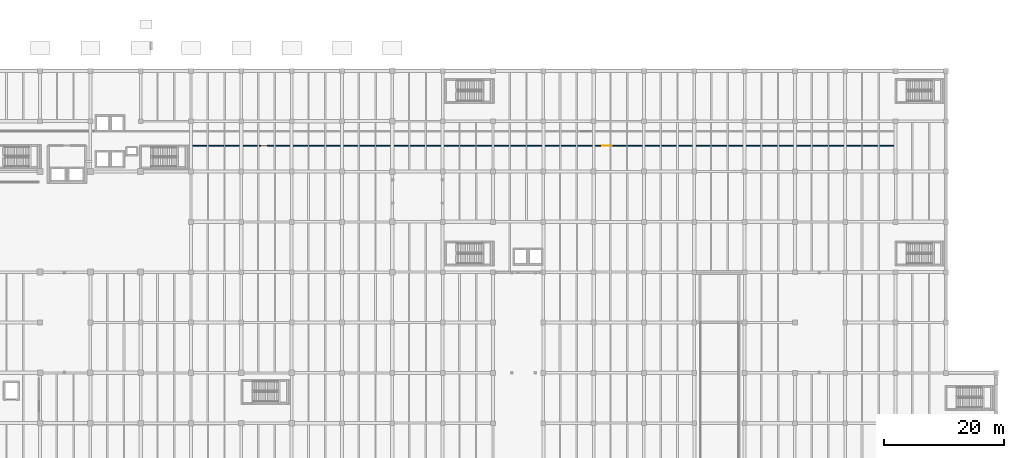
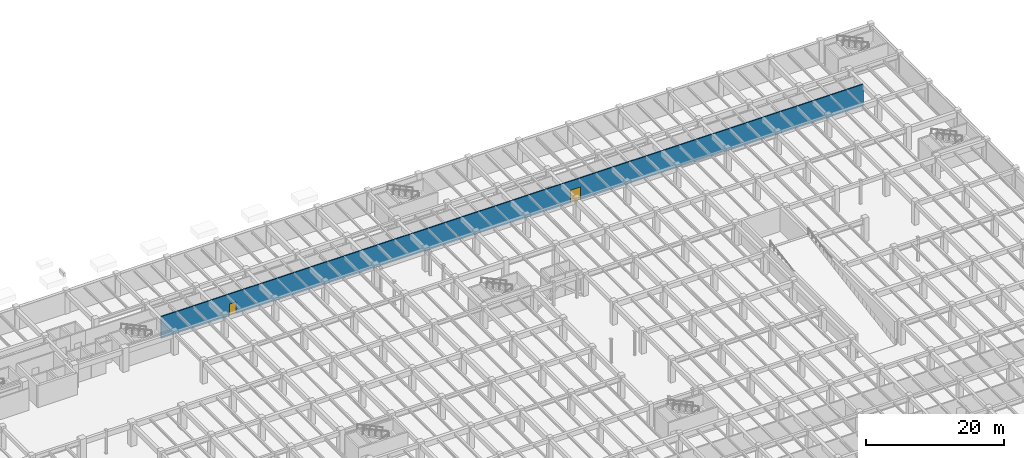
# One storey, part 43 of 63: 2 doors, 1 wall, 2 openings.
"""IFC4 building model written with IfcOpenShell, lengths in metres."""

from ifc_helpers import new_model, si_unit, direction, frame, frame_2d, origin, place, context, subcontext, project, spatial, rectangle, extrude, material, layer, layer_set, type_object, element, fill, save


model = new_model("IFC4")

# Units and contexts
model_context = context("Model", 3, precision=1e-05, world=origin(), true_north=direction((0.0, 1.0)))
body_context = subcontext(model_context, "Body", "Model", "MODEL_VIEW")
ifc_project = project(units=[si_unit("LENGTHUNIT", "METRE"), si_unit("AREAUNIT", "SQUARE_METRE"), si_unit("VOLUMEUNIT", "CUBIC_METRE"), si_unit("PLANEANGLEUNIT", "RADIAN"), si_unit("MASSUNIT", "GRAM", prefix="KILO")], contexts=[model_context])

# Site, building, storey
site_placement = place(None, origin())
site = spatial("IfcSite", under=ifc_project, at=site_placement, CompositionType="ELEMENT")
building_placement = place(site_placement, origin())
building = spatial("IfcBuilding", under=site, at=building_placement, Name="Cumbredor Promenade Congress Hotel", CompositionType="ELEMENT")
storey_placement = place(building_placement, frame((0.0, 0.0, -4.199951171875)))
storey = spatial("IfcBuildingStorey", under=building, at=storey_placement, Name="B01", CompositionType="ELEMENT", Elevation=-4.199951171875)

# Wall, openings, doors
ifc_material_1 = material(Name="Fire-rated hotel corridor wall")
ifc_layer = layer(ifc_material_1, 0.179931640625, Name="Fire-rated hotel corridor wall")
ifc_layer_set = layer_set([ifc_layer], Name="Fire-rated hotel corridor wall")
wall_type = type_object("IfcWallType", Name="WL-CORR-180", PredefinedType="PARTITIONING", material=ifc_layer_set)
wall_placement = place(storey_placement, frame((50.60009765625, 105.10009765625, 0.0), z_axis=(0.0, 0.0, 1.0), x_axis=(1.0, 0.0, 0.0)))
wall = element("IfcWall", 1, at=wall_placement, inside=storey, type_object=wall_type, Name="B01 Interior Partition W-B01-04", PredefinedType="PARTITIONING", context=body_context, shape_type="SweptSolid", body=[
    extrude(rectangle(XDim=117.31982421875, YDim=0.179931640625, at=frame_2d((58.659912109375, 0.0))), origin(), (0.0, 0.0, 1.0), 3.849853515625),
])
opening_1_placement = place(wall_placement, frame((11.39990234375, 0.0, 0.0)))
opening_1 = element("IfcOpeningElement", 2, at=opening_1_placement, cuts=wall, Name="Opening FD-04", PredefinedType="OPENING", context=body_context, shape_type="SweptSolid", body=[
    extrude(rectangle(XDim=1.10009765625, YDim=2.10009765625, at=frame_2d((0.550048828125, 1.050048828125))), frame((0.0, 0.10009765625, 0.0), z_axis=(0.0, -1.0, 0.0), x_axis=(1.0, 0.0, 0.0)), (0.0, 0.0, 1.0), 0.199951171875),
])
opening_2_placement = place(wall_placement, frame((68.39990234375, 0.0, 0.0)))
opening_2 = element("IfcOpeningElement", 3, at=opening_2_placement, cuts=wall, Name="Opening FD-09", PredefinedType="OPENING", context=body_context, shape_type="SweptSolid", body=[
    extrude(rectangle(XDim=1.64990234375, YDim=2.25, at=frame_2d((0.824951171875, 1.125))), frame((0.0, 0.10009765625, 0.0), z_axis=(0.0, -1.0, 0.0), x_axis=(1.0, 0.0, 0.0)), (0.0, 0.0, 1.0), 0.199951171875),
])
ifc_material_2 = material(Name="Painted galvanized steel fire door", Category="steel")
door_type_1 = type_object("IfcDoorType", Name="DR-PLANT-FD60-1600", OperationType="DOUBLE_DOOR_SINGLE_SWING", PredefinedType="DOOR", material=ifc_material_2)
door_1_placement = place(opening_2_placement, origin())
door_1 = element("IfcDoor", 4, at=door_1_placement, inside=storey, type_object=door_type_1, Name="B01 Interior Door W-B01-04-02", OperationType="DOUBLE_DOOR_SINGLE_SWING", OverallHeight=2.25, OverallWidth=1.64990234375, PredefinedType="DOOR", context=body_context, shape_type="SweptSolid", body=[
    extrude(rectangle(XDim=1.64990234375, YDim=2.25, at=frame_2d((0.824951171875, 1.125))), frame((0.0, 0.02490234375, 0.0), z_axis=(0.0, -1.0, 0.0), x_axis=(1.0, 0.0, 0.0)), (0.0, 0.0, 1.0), 0.050048828125),
])
fill(opening_2, door_1)
door_type_2 = type_object("IfcDoorType", Name="DR-SGL-FD60-1100", OperationType="NOTDEFINED", PredefinedType="DOOR", material=ifc_material_2)
door_2_placement = place(opening_1_placement, origin())
door_2 = element("IfcDoor", 5, at=door_2_placement, inside=storey, type_object=door_type_2, Name="B01 Interior Door W-B01-04-01", OperationType="SINGLE_SWING_RIGHT", OverallHeight=2.10009765625, OverallWidth=1.10009765625, PredefinedType="DOOR", context=body_context, shape_type="SweptSolid", body=[
    extrude(rectangle(XDim=1.10009765625, YDim=2.10009765625, at=frame_2d((0.550048828125, 1.050048828125))), frame((0.0, 0.02490234375, 0.0), z_axis=(0.0, -1.0, 0.0), x_axis=(1.0, 0.0, 0.0)), (0.0, 0.0, 1.0), 0.050048828125),
])
fill(opening_1, door_2)

save(model, "model.ifc")
